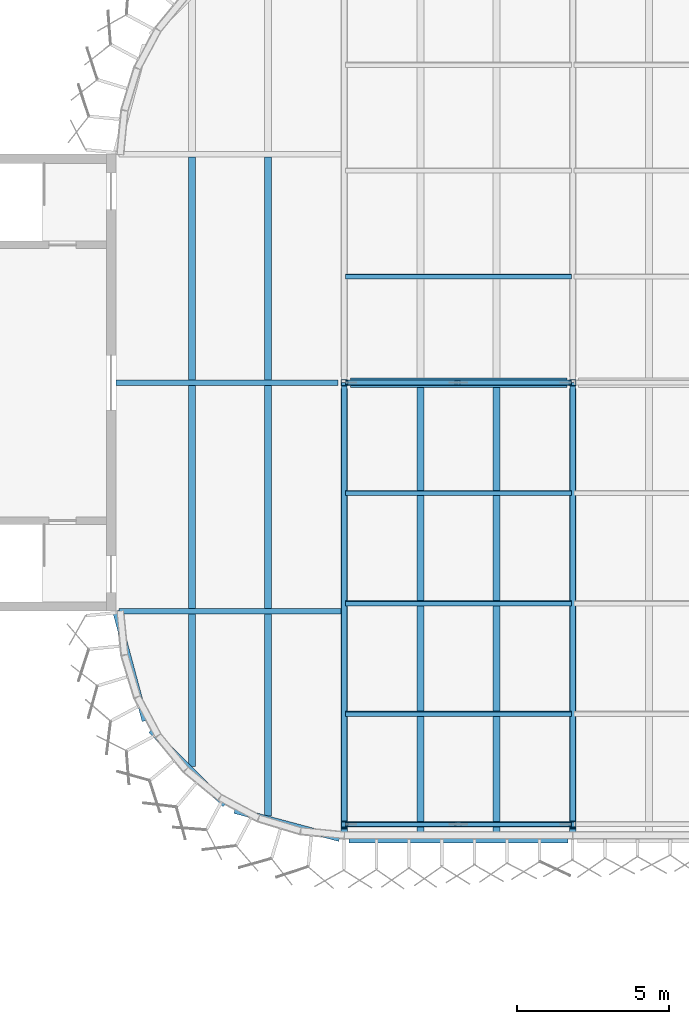
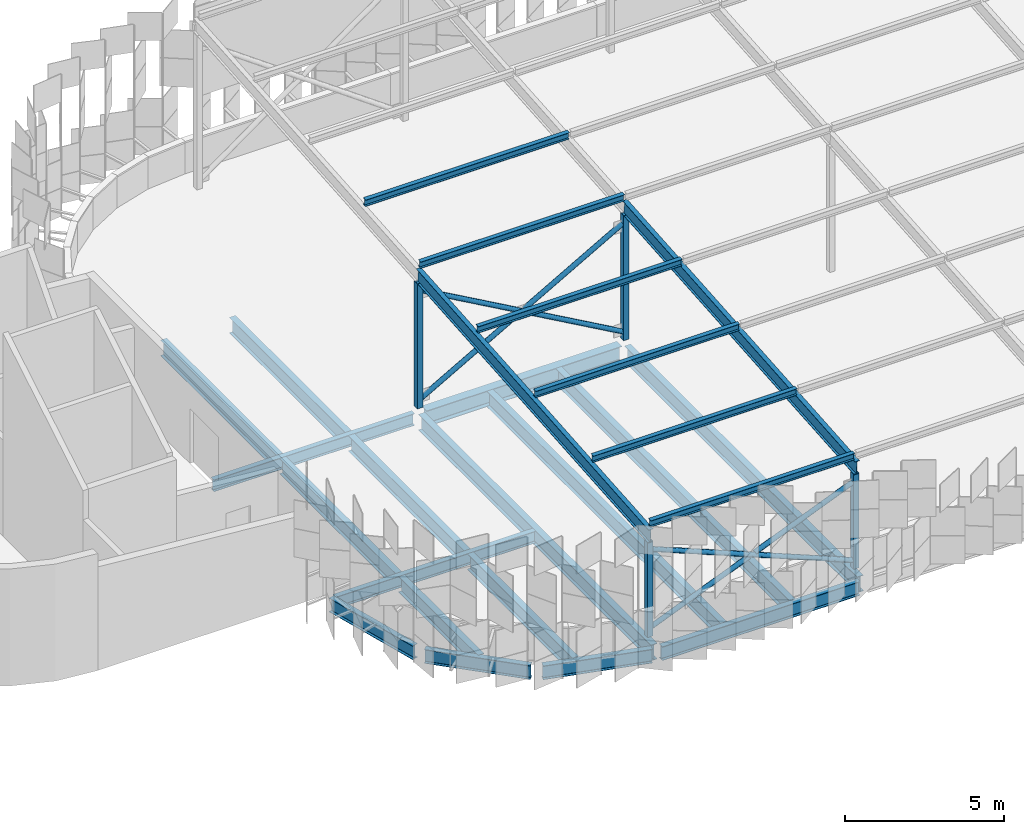
# One storey, part 41 of 483: 18 members, 17 beams.
"""IFC4 building model written with IfcOpenShell, lengths in metres."""

import ifcopenshell
import ifcopenshell.guid

model = None  # the IFC model being written
_history = None  # IfcOwnerHistory: only IFC2X3 demands one
_inside = {}  # id of a spatial element -> (the spatial element, [elements in it])
_under = {}  # id of a project, library or spatial element -> (it, [spatial elements below it])
_declared = {}  # id of a project -> (the project, [libraries it declares])
_typed = {}  # id of a type object -> (the type object, [elements of that type])
_made_of = {}  # id of a material, layer set ... -> (it, [elements and type objects made of it])


def new_model(schema):
    """Start an empty IFC model of exactly this schema.

    Asked for "IFC4X3", IfcOpenShell would pick the latest addendum, in which some entities
    have other attributes; the version numbers below select the first issue.
    IFC2X3 requires an IfcOwnerHistory on every rooted entity: one is made here for all.
    """
    global model, _history
    if schema == "IFC4X3":
        model = ifcopenshell.file(schema_version=(4, 3, 0, 0))
    else:
        model = ifcopenshell.file(schema=schema)
    _inside.clear()
    _under.clear()
    _declared.clear()
    _typed.clear()
    _made_of.clear()
    _history = None
    if model.schema == "IFC2X3":
        org = make("IfcOrganization", Name="unknown")
        user = make(
            "IfcPersonAndOrganization",
            ThePerson=make("IfcPerson", FamilyName="unknown"),
            TheOrganization=org,
        )
        app = make(
            "IfcApplication",
            ApplicationDeveloper=org,
            Version="unknown",
            ApplicationFullName="unknown",
            ApplicationIdentifier="unknown",
        )
        _history = make(
            "IfcOwnerHistory",
            OwningUser=user,
            OwningApplication=app,
            ChangeAction="ADDED",
            CreationDate=0,
        )
    return model


def make(cls, **values):
    """One entity of the class cls with the attributes given. An attribute that is None is left unset."""
    return model.create_entity(
        cls, **{name: value for name, value in values.items() if value is not None}
    )


def rooted(cls, **values):
    """An entity with a GlobalId (a new one), such as an element, a storey or a relation."""
    return make(cls, GlobalId=ifcopenshell.guid.new(), OwnerHistory=_history, **values)


def si_unit(unit_type, name, prefix=None):
    """IfcSIUnit, for example si_unit("LENGTHUNIT", "METRE", prefix="MILLI")."""
    return make("IfcSIUnit", UnitType=unit_type, Prefix=prefix, Name=name)


def assignment(units):
    """IfcUnitAssignment: the units of a project."""
    return None if units is None else make("IfcUnitAssignment", Units=units)


def point(xyz):
    """IfcCartesianPoint."""
    return None if xyz is None else make("IfcCartesianPoint", Coordinates=xyz)


def direction(xyz):
    """IfcDirection."""
    return None if xyz is None else make("IfcDirection", DirectionRatios=xyz)


def frame(location, z_axis=None, x_axis=None):
    """IfcAxis2Placement3D, a coordinate frame: its origin and axes. An axis left out is left unset."""
    return make(
        "IfcAxis2Placement3D",
        Location=point(location),
        Axis=direction(z_axis),
        RefDirection=direction(x_axis),
    )


def frame_2d(location, x_axis=None):
    """IfcAxis2Placement2D, a coordinate frame in the plane: its origin and x axis."""
    return make(
        "IfcAxis2Placement2D", Location=point(location), RefDirection=direction(x_axis)
    )


def origin():
    """The frame at (0, 0, 0) with its axes left unset."""
    return frame((0.0, 0.0, 0.0))


def origin_2d():
    """The frame at (0, 0) in the plane with its x axis left unset."""
    return frame_2d((0.0, 0.0))


def place(relative_to, where):
    """IfcLocalPlacement: puts the frame where relative to a parent placement (None: the world)."""
    return make(
        "IfcLocalPlacement", PlacementRelTo=relative_to, RelativePlacement=where
    )


def context(
    kind, dimensions, precision=None, world=None, true_north=None, identifier=None
):
    """IfcGeometricRepresentationContext, for example the 3D "Model" context."""
    return make(
        "IfcGeometricRepresentationContext",
        ContextIdentifier=identifier,
        ContextType=kind,
        CoordinateSpaceDimension=dimensions,
        Precision=precision,
        WorldCoordinateSystem=world,
        TrueNorth=true_north,
    )


def subcontext(parent, identifier, kind, view, scale=None):
    """IfcGeometricRepresentationSubContext, for example "Body" below "Model"."""
    return make(
        "IfcGeometricRepresentationSubContext",
        ContextIdentifier=identifier,
        ContextType=kind,
        ParentContext=parent,
        TargetScale=scale,
        TargetView=view,
    )


def project(units=None, contexts=None):
    """IfcProject with its units and contexts."""
    return rooted(
        "IfcProject",
        Name="project",
        RepresentationContexts=contexts,
        UnitsInContext=assignment(units),
    )


def spatial(cls, under=None, at=None, **own):
    """A site, building, storey or space (cls), placed at a placement, below another one or the project."""
    s = rooted(cls, ObjectPlacement=at, **own)
    if under is not None:
        _under.setdefault(under.id(), (under, []))[1].append(s)
    return s


def profile(cls, at=None, kind="AREA", **sizes):
    """A parametric profile (cls). Its sizes go by their IFC names, for example OverallWidth=200.0."""
    return make(cls, ProfileType=kind, Position=at, **sizes)


def hollow_rectangle(**sizes):
    """IfcRectangleHollowProfileDef."""
    return profile("IfcRectangleHollowProfileDef", **sizes)


def hollow_circle(**sizes):
    """IfcCircleHollowProfileDef."""
    return profile("IfcCircleHollowProfileDef", **sizes)


def i_section(**sizes):
    """IfcIShapeProfileDef."""
    return profile("IfcIShapeProfileDef", **sizes)


def extrude(swept, where, along, depth):
    """IfcExtrudedAreaSolid: the profile swept, set in the frame where, extruded along a direction by depth."""
    return make(
        "IfcExtrudedAreaSolid",
        SweptArea=swept,
        Position=where,
        ExtrudedDirection=direction(along),
        Depth=depth,
    )


def shape(context_of_items, identifier, shape_type, items):
    """IfcShapeRepresentation: the items that make up one representation, for example the "Body"."""
    return make(
        "IfcShapeRepresentation",
        ContextOfItems=context_of_items,
        RepresentationIdentifier=identifier,
        RepresentationType=shape_type,
        Items=items,
    )


def material(Name=None, Category=None):
    """IfcMaterial."""
    return make("IfcMaterial", Name=Name, Category=Category)


def material_profile(
    of_material, cross_section, Name=None, Category=None, Priority=None
):
    """IfcMaterialProfile: a cross section and its material."""
    return make(
        "IfcMaterialProfile",
        Name=Name,
        Material=of_material,
        Profile=cross_section,
        Priority=Priority,
        Category=Category,
    )


def profile_set(profiles, Name=None, composite=None):
    """IfcMaterialProfileSet."""
    return make(
        "IfcMaterialProfileSet",
        Name=Name,
        MaterialProfiles=profiles,
        CompositeProfile=composite,
    )


def made_of(thing, what):
    """Note that an element or type object is made of a material, layer set ...; save() writes the relation."""
    if what is not None:
        _made_of.setdefault(what.id(), (what, []))[1].append(thing)
    return thing


def type_object(cls, material=None, **own):
    """A type object (cls), such as IfcWallType, which elements share."""
    return made_of(rooted(cls, **own), material)


def element(
    cls,
    number,
    at=None,
    inside=None,
    cuts=None,
    type_object=None,
    material=None,
    context=None,
    identifier="Body",
    shape_type=None,
    held_by="IfcProductDefinitionShape",
    body=None,
    shapes=None,
    **own,
):
    """One element of the class cls, such as IfcWall. Its Tag is "e" and its number.

    at: its placement. inside: the storey or other place that contains it. cuts: it is an
    opening in that element (IfcRelVoidsElement). A single representation is given by context,
    identifier, shape_type and body (its items); several are given by shapes. held_by: the class
    of the entity that holds the representations. save() writes the other relations.
    """
    e = rooted(cls, Tag="e%d" % number, ObjectPlacement=at, **own)
    if body is not None:
        shapes = [shape(context, identifier, shape_type, body)]
    if shapes is not None:
        e.Representation = make(held_by, Representations=shapes)
    if inside is not None:
        _inside.setdefault(inside.id(), (inside, []))[1].append(e)
    if cuts is not None:
        rooted(
            "IfcRelVoidsElement", RelatingBuildingElement=cuts, RelatedOpeningElement=e
        )
    if type_object is not None:
        _typed.setdefault(type_object.id(), (type_object, []))[1].append(e)
    return made_of(e, material)


def aggregate(whole, parts):
    """IfcRelAggregates: a whole, such as a stair, and the parts it consists of."""
    return rooted("IfcRelAggregates", RelatingObject=whole, RelatedObjects=parts)


def save(model, path):
    """Write the relations noted so far, then the file.

    IfcRelAggregates (storeys below a building ...), IfcRelContainedInSpatialStructure (elements
    in a storey), IfcRelDefinesByType, IfcRelAssociatesMaterial and IfcRelDeclares: one each for
    every whole, place, type object, material and project.
    """
    for whole, parts in _under.values():
        aggregate(whole, parts)
    for where, things in _inside.values():
        rooted(
            "IfcRelContainedInSpatialStructure",
            RelatedElements=things,
            RelatingStructure=where,
        )
    for kind, things in _typed.values():
        rooted("IfcRelDefinesByType", RelatedObjects=things, RelatingType=kind)
    for what, things in _made_of.values():
        rooted("IfcRelAssociatesMaterial", RelatedObjects=things, RelatingMaterial=what)
    for by, libraries in _declared.values():
        rooted("IfcRelDeclares", RelatingContext=by, RelatedDefinitions=libraries)
    model.write(path)


model = new_model("IFC4")

# Units and contexts
model_context = context("Model", 3, precision=1e-05, world=origin(), true_north=direction((0.0, 1.0)))
body_context = subcontext(model_context, "Body", "Model", "MODEL_VIEW")
ifc_project = project(units=[si_unit("LENGTHUNIT", "METRE"), si_unit("AREAUNIT", "SQUARE_METRE"), si_unit("VOLUMEUNIT", "CUBIC_METRE"), si_unit("PLANEANGLEUNIT", "RADIAN"), si_unit("MASSUNIT", "GRAM", prefix="KILO")], contexts=[model_context])

# Site, building, storey
site_placement = place(None, origin())
site = spatial("IfcSite", under=ifc_project, at=site_placement, CompositionType="ELEMENT")
building_placement = place(site_placement, origin())
building = spatial("IfcBuilding", under=site, at=building_placement, Name="Parallax Yard Mobility Hub", CompositionType="ELEMENT")
storey_placement = place(building_placement, frame((0.0, 0.0, 13.199951171875)))
storey = spatial("IfcBuildingStorey", under=building, at=storey_placement, Name="L04", CompositionType="ELEMENT", Elevation=13.199951171875)

# Members
ifc_material_1 = material(Name="Steel ASTM A500 Gr C", Category="steel")
ifc_material_profile_1 = material_profile(ifc_material_1, hollow_circle(Radius=0.0888671875, WallThickness=0.0078125, at=origin_2d()), Name="HSS177.8x7.9")
ifc_profile_set_1 = profile_set([ifc_material_profile_1], Name="Steel ASTM A500 Gr C")
member_type_1 = type_object("IfcMemberType", Name="Canopy brace HSS177.8x7.9", PredefinedType="BRACE", material=ifc_profile_set_1)
member_1_placement = place(storey_placement, frame((37.413330078125, 113.0, 0.300048828125), z_axis=(-0.925869010623, 0.0, 0.377844644222), x_axis=(0.0, -1.0, 0.0)))
element("IfcMember", 1, at=member_1_placement, inside=storey, type_object=member_type_1, Name="Canopy X brace RA bay N-A bay 1 diagonal B", PredefinedType="BRACE", context=body_context, shape_type="SweptSolid", body=[
    extrude(hollow_circle(Radius=0.0888671875, WallThickness=0.0078125, at=origin_2d()), origin(), (0.0, 0.0, 1.0), 7.913330078125),
])
for number, where, z_axis, x_axis, name in (
    (2, (30.086669921875, 113.0, 0.300048828125), (0.925875790589, 0.0, 0.377828030196), (0.0, 1.0, 0.0), "Canopy X brace RA bay N-A bay 1 diagonal A part 1"),
    (3, (33.8583984375, 113.0, 1.83935546875), (0.925875790589, 0.0, 0.377828030196), (0.0, 1.0, 0.0), "Canopy X brace RA bay N-A bay 1 diagonal A part 2"),
):
    element("IfcMember", number, at=place(storey_placement, frame(where, z_axis=z_axis, x_axis=x_axis)), inside=storey, type_object=member_type_1, Name=name, PredefinedType="BRACE", context=body_context, shape_type="SweptSolid", body=[
        extrude(hollow_circle(Radius=0.0888671875, WallThickness=0.0078125, at=origin_2d()), origin(), (0.0, 0.0, 1.0), 3.839599609375),
    ])
member_2_placement = place(storey_placement, frame((37.413330078125, 127.5, 0.300048828125), z_axis=(-0.870117516531, 0.0, 0.492844303432), x_axis=(0.0, -1.0, 0.0)))
element("IfcMember", 4, at=member_2_placement, inside=storey, type_object=member_type_1, Name="Canopy X brace RB bay N-A bay 1 diagonal B", PredefinedType="BRACE", context=body_context, shape_type="SweptSolid", body=[
    extrude(hollow_circle(Radius=0.0888671875, WallThickness=0.0078125, at=origin_2d()), origin(), (0.0, 0.0, 1.0), 8.42041015625),
])
for number, where, z_axis, x_axis, name in (
    (5, (30.086669921875, 127.5, 0.300048828125), (0.870112904421, 0.0, 0.492852446032), (0.0, 1.0, 0.0), "Canopy X brace RB bay N-A bay 1 diagonal A part 1"),
    (6, (33.83154296875, 127.5, 2.421142578125), (0.870112904421, 0.0, 0.492852446032), (0.0, 1.0, 0.0), "Canopy X brace RB bay N-A bay 1 diagonal A part 2"),
):
    element("IfcMember", number, at=place(storey_placement, frame(where, z_axis=z_axis, x_axis=x_axis)), inside=storey, type_object=member_type_1, Name=name, PredefinedType="BRACE", context=body_context, shape_type="SweptSolid", body=[
        extrude(hollow_circle(Radius=0.0888671875, WallThickness=0.0078125, at=origin_2d()), origin(), (0.0, 0.0, 1.0), 4.116455078125),
    ])
ifc_material_profile_2 = material_profile(ifc_material_1, hollow_rectangle(XDim=0.203125, YDim=0.203125, WallThickness=0.009521484375, at=origin_2d()), Name="HSS203x203x9.5")
ifc_profile_set_2 = profile_set([ifc_material_profile_2], Name="Steel ASTM A500 Gr C")
member_type_2 = type_object("IfcMemberType", Name="Canopy post HSS203x203x9.5", PredefinedType="POST", material=ifc_profile_set_2)
member_3_placement = place(storey_placement, frame((30.0, 113.0, 0.0), z_axis=(0.0, 0.0, 1.0), x_axis=(1.0, 0.0, 0.0)))
element("IfcMember", 7, at=member_3_placement, inside=storey, type_object=member_type_2, Name="Canopy post RA/N-A1", PredefinedType="POST", context=body_context, shape_type="SweptSolid", body=[
    extrude(hollow_rectangle(XDim=0.203125, YDim=0.203125, WallThickness=0.009521484375, at=origin_2d()), origin(), (0.0, 0.0, 1.0), 3.650146484375),
])
member_4_placement = place(storey_placement, frame((30.0, 127.5, 0.0), z_axis=(0.0, 0.0, 1.0), x_axis=(1.0, 0.0, 0.0)))
element("IfcMember", 8, at=member_4_placement, inside=storey, type_object=member_type_2, Name="Canopy post RB/N-A1", PredefinedType="POST", context=body_context, shape_type="SweptSolid", body=[
    extrude(hollow_rectangle(XDim=0.203125, YDim=0.203125, WallThickness=0.009521484375, at=origin_2d()), origin(), (0.0, 0.0, 1.0), 4.81005859375),
])
member_5_placement = place(storey_placement, frame((37.5, 113.0, 0.0), z_axis=(0.0, 0.0, 1.0), x_axis=(1.0, 0.0, 0.0)))
element("IfcMember", 9, at=member_5_placement, inside=storey, type_object=member_type_2, Name="Canopy post RA/N-A2", PredefinedType="POST", context=body_context, shape_type="SweptSolid", body=[
    extrude(hollow_rectangle(XDim=0.203125, YDim=0.203125, WallThickness=0.009521484375, at=origin_2d()), origin(), (0.0, 0.0, 1.0), 3.650146484375),
])
member_6_placement = place(storey_placement, frame((37.5, 127.5, 0.0), z_axis=(0.0, 0.0, 1.0), x_axis=(1.0, 0.0, 0.0)))
element("IfcMember", 10, at=member_6_placement, inside=storey, type_object=member_type_2, Name="Canopy post RB/N-A2", PredefinedType="POST", context=body_context, shape_type="SweptSolid", body=[
    extrude(hollow_rectangle(XDim=0.203125, YDim=0.203125, WallThickness=0.009521484375, at=origin_2d()), origin(), (0.0, 0.0, 1.0), 4.81005859375),
])
ifc_material_2 = material(Name="Steel ASTM A992", Category="steel")
ifc_material_profile_3 = material_profile(ifc_material_2, i_section(OverallWidth=0.14794921875, OverallDepth=0.26611328125, WebThickness=0.007568359375, FlangeThickness=0.012939453125, at=origin_2d()), Name="W250x45")
ifc_profile_set_3 = profile_set([ifc_material_profile_3], Name="Steel ASTM A992")
member_type_3 = type_object("IfcMemberType", Name="Canopy purlin W250x45", PredefinedType="PURLIN", material=ifc_profile_set_3)
for number, where, z_axis, x_axis, name in (
    (11, (30.0400390625, 113.010498046875, 4.302001953125), (1.0, 0.0, 0.0), (0.0, 0.996815308126, 0.079744852409), "Canopy purlin sector N-A bay 1 line 1"),
    (12, (30.0400390625, 116.635498046875, 4.592041015625), (1.0, 0.0, 0.0), (0.0, 0.996815308126, 0.079744852409), "Canopy purlin sector N-A bay 1 line 2"),
    (13, (30.0400390625, 120.260498046875, 4.882080078125), (1.0, 0.0, 0.0), (0.0, 0.996815308126, 0.079744852409), "Canopy purlin sector N-A bay 1 line 3"),
    (14, (30.0400390625, 123.885498046875, 5.172119140625), (1.0, 0.0, 0.0), (0.0, 0.996815308126, 0.079744852409), "Canopy purlin sector N-A bay 1 line 4"),
    (15, (30.0400390625, 127.510498046875, 5.462158203125), (1.0, 0.0, 0.0), (0.0, 0.996815308126, 0.079744852409), "Canopy purlin sector N-A bay 1 line 5"),
    (16, (30.0400390625, 130.985595703125, 5.739990234375), (1.0, 0.0, 0.0), (0.0, 0.996815308126, 0.079744852409), "Canopy purlin sector N-A bay 1 line 6"),
):
    element("IfcMember", number, at=place(storey_placement, frame(where, z_axis=z_axis, x_axis=x_axis)), inside=storey, type_object=member_type_3, Name=name, PredefinedType="PURLIN", context=body_context, shape_type="SweptSolid", body=[
        extrude(i_section(OverallWidth=0.14794921875, OverallDepth=0.26611328125, WebThickness=0.007568359375, FlangeThickness=0.012939453125, at=origin_2d()), origin(), (0.0, 0.0, 1.0), 7.419921875),
    ])
ifc_material_profile_4 = material_profile(ifc_material_2, i_section(OverallWidth=0.166015625, OverallDepth=0.529052734375, WebThickness=0.009765625, FlangeThickness=0.013671875, at=origin_2d()), Name="W530x74")
ifc_profile_set_4 = profile_set([ifc_material_profile_4], Name="Steel ASTM A992")
member_type_4 = type_object("IfcMemberType", Name="Canopy rafter W530x74", PredefinedType="RAFTER", material=ifc_profile_set_4)
for number, where, z_axis, x_axis, name in (
    (17, (30.0, 112.87109375, 3.89501953125), (0.0, 0.996814591838, 0.079753805543), (-1.0, 0.0, 0.0), "Canopy rafter N-A1 inner span"),
    (18, (37.5, 112.87109375, 3.89501953125), (0.0, 0.996814591838, 0.079753805543), (-1.0, 0.0, 0.0), "Canopy rafter N-A2 inner span"),
):
    element("IfcMember", number, at=place(storey_placement, frame(where, z_axis=z_axis, x_axis=x_axis)), inside=storey, type_object=member_type_4, Name=name, PredefinedType="RAFTER", context=body_context, shape_type="SweptSolid", body=[
        extrude(i_section(OverallWidth=0.166015625, OverallDepth=0.529052734375, WebThickness=0.009765625, FlangeThickness=0.013671875, at=origin_2d()), origin(), (0.0, 0.0, 1.0), 14.69677734375),
    ])

# Beams
ifc_material_profile_5 = material_profile(ifc_material_2, i_section(OverallWidth=0.19091796875, OverallDepth=0.45703125, WebThickness=0.009033203125, FlangeThickness=0.014404296875, FilletRadius=0.01025390625, at=origin_2d()), Name="W460x74")
ifc_profile_set_5 = profile_set([ifc_material_profile_5], Name="Steel ASTM A992")
beam_type_1 = type_object("IfcBeamType", Name="W460x74 longitudinal beam", PredefinedType="BEAM", material=ifc_profile_set_5)
beam_1_placement = place(storey_placement, frame((22.608154296875, 120.0, -0.368408203125), z_axis=(1.0, 0.0, 0.0), x_axis=(0.0, 1.0, 0.0)))
element("IfcBeam", 19, at=beam_1_placement, inside=storey, type_object=beam_type_1, Name="Longitudinal beam SB4 level L04, line S of ramped parking decks, span 1", PredefinedType="BEAM", context=body_context, shape_type="SweptSolid", body=[
    extrude(i_section(OverallWidth=0.19091796875, OverallDepth=0.45703125, WebThickness=0.009033203125, FlangeThickness=0.014404296875, FilletRadius=0.01025390625, at=origin_2d()), origin(), (0.0, 0.0, 1.0), 7.27734375),
])
beam_2_placement = place(storey_placement, frame((22.5, 127.5, -0.368408203125), z_axis=(1.0, 0.0, 0.0), x_axis=(0.0, 1.0, 0.0)))
element("IfcBeam", 20, at=beam_2_placement, inside=storey, type_object=beam_type_1, Name="Longitudinal beam SB4 level L04, line T of ramped parking decks, span 20", PredefinedType="BEAM", context=body_context, shape_type="SweptSolid", body=[
    extrude(i_section(OverallWidth=0.19091796875, OverallDepth=0.45703125, WebThickness=0.009033203125, FlangeThickness=0.014404296875, FilletRadius=0.01025390625, at=origin_2d()), origin(), (0.0, 0.0, 1.0), 7.302001953125),
])
ifc_material_profile_6 = material_profile(ifc_material_2, i_section(OverallWidth=0.208984375, OverallDepth=0.532958984375, WebThickness=0.01025390625, FlangeThickness=0.015625, FilletRadius=0.0126953125, at=origin_2d()), Name="W530x92")
ifc_profile_set_6 = profile_set([ifc_material_profile_6], Name="Steel ASTM A992")
beam_type_2 = type_object("IfcBeamType", Name="W530x92 edge beam", PredefinedType="SPANDREL", material=ifc_profile_set_6)
beam_3_placement = place(storey_placement, frame((30.153564453125, 112.5, -0.406494140625), z_axis=(1.0, 0.0, 0.0), x_axis=(0.0, 1.0, 0.0)))
element("IfcBeam", 21, at=beam_3_placement, inside=storey, type_object=beam_type_2, Name="Edge beam SB5 level L04, line R of ramped parking decks, span 1", PredefinedType="SPANDREL", context=body_context, shape_type="SweptSolid", body=[
    extrude(i_section(OverallWidth=0.208984375, OverallDepth=0.532958984375, WebThickness=0.01025390625, FlangeThickness=0.015625, FilletRadius=0.0126953125, at=origin_2d()), origin(), (0.0, 0.0, 1.0), 7.19384765625),
])
beam_4_placement = place(storey_placement, frame((22.5, 120.0, -0.406494140625), z_axis=(0.2588092838, -0.965928441769, 0.0), x_axis=(0.965928441769, 0.2588092838, 0.0)))
element("IfcBeam", 22, at=beam_4_placement, inside=storey, type_object=beam_type_2, Name="Edge beam SB5 level L04, the west end of ramped parking decks, span 1", PredefinedType="SPANDREL", context=body_context, shape_type="SweptSolid", body=[
    extrude(i_section(OverallWidth=0.208984375, OverallDepth=0.532958984375, WebThickness=0.01025390625, FlangeThickness=0.015625, FilletRadius=0.0126953125, at=origin_2d()), origin(), (0.0, 0.0, 1.0), 3.723388671875),
])
beam_5_placement = place(storey_placement, frame((23.6572265625, 116.097412109375, -0.406494140625), z_axis=(0.707106781187, -0.707106781187, 0.0), x_axis=(0.707106781187, 0.707106781187, 0.0)))
element("IfcBeam", 23, at=beam_5_placement, inside=storey, type_object=beam_type_2, Name="Edge beam SB5 level L04, the west end of ramped parking decks, span 3", PredefinedType="SPANDREL", context=body_context, shape_type="SweptSolid", body=[
    extrude(i_section(OverallWidth=0.208984375, OverallDepth=0.532958984375, WebThickness=0.01025390625, FlangeThickness=0.015625, FilletRadius=0.0126953125, at=origin_2d()), origin(), (0.0, 0.0, 1.0), 3.450927734375),
])
beam_6_placement = place(storey_placement, frame((26.402587890625, 113.4638671875, -0.406494140625), z_axis=(0.965920541607, -0.258838766998, 0.0), x_axis=(0.258838766998, 0.965920541607, 0.0)))
element("IfcBeam", 24, at=beam_6_placement, inside=storey, type_object=beam_type_2, Name="Edge beam SB5 level L04, the west end of ramped parking decks, span 5", PredefinedType="SPANDREL", context=body_context, shape_type="SweptSolid", body=[
    extrude(i_section(OverallWidth=0.208984375, OverallDepth=0.532958984375, WebThickness=0.01025390625, FlangeThickness=0.015625, FilletRadius=0.0126953125, at=origin_2d()), origin(), (0.0, 0.0, 1.0), 3.5654296875),
])
ifc_material_profile_7 = material_profile(ifc_material_2, i_section(OverallWidth=0.22802734375, OverallDepth=0.60205078125, WebThickness=0.010498046875, FlangeThickness=0.014892578125, FilletRadius=0.0126953125, at=origin_2d()), Name="W610x101")
ifc_profile_set_7 = profile_set([ifc_material_profile_7], Name="Steel ASTM A992")
beam_type_3 = type_object("IfcBeamType", Name="W610x101 secondary beam", PredefinedType="JOIST", material=ifc_profile_set_7)
beam_7_placement = place(storey_placement, frame((25.0, 114.902587890625, -0.44091796875), z_axis=(0.0, 1.0, 0.0), x_axis=(-1.0, 0.0, 0.0)))
element("IfcBeam", 25, at=beam_7_placement, inside=storey, type_object=beam_type_3, Name="Secondary beam B3 level L04, 2.5 m east of line 4 of ramped parking decks, span 1", PredefinedType="JOIST", context=body_context, shape_type="SweptSolid", body=[
    extrude(i_section(OverallWidth=0.22802734375, OverallDepth=0.60205078125, WebThickness=0.010498046875, FlangeThickness=0.014892578125, FilletRadius=0.0126953125, at=origin_2d()), origin(), (0.0, 0.0, 1.0), 5.001953125),
])
for number, where, z_axis, x_axis, name in (
    (26, (25.0, 120.095458984375, -0.44091796875), (0.0, 1.0, 0.0), (-1.0, 0.0, 0.0), "Secondary beam B3 level L04, 2.5 m east of line 4 of ramped parking decks, span 2"),
    (27, (25.0, 127.595458984375, -0.44091796875), (0.0, 1.0, 0.0), (-1.0, 0.0, 0.0), "Secondary beam B3 level L04, 2.5 m east of line 4 of ramped parking decks, span 3"),
):
    element("IfcBeam", number, at=place(storey_placement, frame(where, z_axis=z_axis, x_axis=x_axis)), inside=storey, type_object=beam_type_3, Name=name, PredefinedType="JOIST", context=body_context, shape_type="SweptSolid", body=[
        extrude(i_section(OverallWidth=0.22802734375, OverallDepth=0.60205078125, WebThickness=0.010498046875, FlangeThickness=0.014892578125, FilletRadius=0.0126953125, at=origin_2d()), origin(), (0.0, 0.0, 1.0), 7.30908203125),
    ])
beam_8_placement = place(storey_placement, frame((32.5, 112.6044921875, -0.44091796875), z_axis=(0.0, 1.0, 0.0), x_axis=(-1.0, 0.0, 0.0)))
element("IfcBeam", 28, at=beam_8_placement, inside=storey, type_object=beam_type_3, Name="Secondary beam B3 level L04, 2.5 m east of line 5 of ramped parking decks, span 1", PredefinedType="JOIST", context=body_context, shape_type="SweptSolid", body=[
    extrude(i_section(OverallWidth=0.22802734375, OverallDepth=0.60205078125, WebThickness=0.010498046875, FlangeThickness=0.014892578125, FilletRadius=0.0126953125, at=origin_2d()), origin(), (0.0, 0.0, 1.0), 14.73291015625),
])
beam_9_placement = place(storey_placement, frame((27.5, 113.278076171875, -0.44091796875), z_axis=(0.0, 1.0, 0.0), x_axis=(-1.0, 0.0, 0.0)))
element("IfcBeam", 29, at=beam_9_placement, inside=storey, type_object=beam_type_3, Name="Secondary beam B3 level L04, 5 m east of line 4 of ramped parking decks, span 1", PredefinedType="JOIST", context=body_context, shape_type="SweptSolid", body=[
    extrude(i_section(OverallWidth=0.22802734375, OverallDepth=0.60205078125, WebThickness=0.010498046875, FlangeThickness=0.014892578125, FilletRadius=0.0126953125, at=origin_2d()), origin(), (0.0, 0.0, 1.0), 6.62646484375),
])
for number, where, z_axis, x_axis, name in (
    (30, (27.5, 120.095458984375, -0.44091796875), (0.0, 1.0, 0.0), (-1.0, 0.0, 0.0), "Secondary beam B3 level L04, 5 m east of line 4 of ramped parking decks, span 2"),
    (31, (27.5, 127.595458984375, -0.44091796875), (0.0, 1.0, 0.0), (-1.0, 0.0, 0.0), "Secondary beam B3 level L04, 5 m east of line 4 of ramped parking decks, span 3"),
):
    element("IfcBeam", number, at=place(storey_placement, frame(where, z_axis=z_axis, x_axis=x_axis)), inside=storey, type_object=beam_type_3, Name=name, PredefinedType="JOIST", context=body_context, shape_type="SweptSolid", body=[
        extrude(i_section(OverallWidth=0.22802734375, OverallDepth=0.60205078125, WebThickness=0.010498046875, FlangeThickness=0.014892578125, FilletRadius=0.0126953125, at=origin_2d()), origin(), (0.0, 0.0, 1.0), 7.30908203125),
    ])
beam_10_placement = place(storey_placement, frame((35.0, 112.6044921875, -0.44091796875), z_axis=(0.0, 1.0, 0.0), x_axis=(-1.0, 0.0, 0.0)))
element("IfcBeam", 32, at=beam_10_placement, inside=storey, type_object=beam_type_3, Name="Secondary beam B3 level L04, 5 m east of line 5 of ramped parking decks, span 1", PredefinedType="JOIST", context=body_context, shape_type="SweptSolid", body=[
    extrude(i_section(OverallWidth=0.22802734375, OverallDepth=0.60205078125, WebThickness=0.010498046875, FlangeThickness=0.014892578125, FilletRadius=0.0126953125, at=origin_2d()), origin(), (0.0, 0.0, 1.0), 14.73291015625),
])
ifc_material_profile_8 = material_profile(ifc_material_2, i_section(OverallWidth=0.22900390625, OverallDepth=0.612060546875, WebThickness=0.011962890625, FlangeThickness=0.01953125, FilletRadius=0.0126953125, at=origin_2d()), Name="W610x125")
ifc_profile_set_8 = profile_set([ifc_material_profile_8], Name="Steel ASTM A992")
beam_type_4 = type_object("IfcBeamType", Name="W610x125 girder", PredefinedType="BEAM", material=ifc_profile_set_8)
beam_11_placement = place(storey_placement, frame((30.0, 112.658935546875, -0.446044921875), z_axis=(0.0, 1.0, 0.0), x_axis=(-1.0, 0.0, 0.0)))
element("IfcBeam", 33, at=beam_11_placement, inside=storey, type_object=beam_type_4, Name="Girder G3 level L04, line 5 of ramped parking decks, span 1", PredefinedType="BEAM", context=body_context, shape_type="SweptSolid", body=[
    extrude(i_section(OverallWidth=0.22900390625, OverallDepth=0.612060546875, WebThickness=0.011962890625, FlangeThickness=0.01953125, FilletRadius=0.0126953125, at=origin_2d()), origin(), (0.0, 0.0, 1.0), 14.650634765625),
])
beam_12_placement = place(storey_placement, frame((37.5, 112.653564453125, -0.446044921875), z_axis=(0.0, 1.0, 0.0), x_axis=(-1.0, 0.0, 0.0)))
element("IfcBeam", 34, at=beam_12_placement, inside=storey, type_object=beam_type_4, Name="Girder G3 level L04, line 6 of ramped parking decks, span 1", PredefinedType="BEAM", context=body_context, shape_type="SweptSolid", body=[
    extrude(i_section(OverallWidth=0.22900390625, OverallDepth=0.612060546875, WebThickness=0.011962890625, FlangeThickness=0.01953125, FilletRadius=0.0126953125, at=origin_2d()), origin(), (0.0, 0.0, 1.0), 14.662353515625),
])
ifc_material_profile_9 = material_profile(ifc_material_2, i_section(OverallWidth=0.324951171875, OverallDepth=0.612060546875, WebThickness=0.0126953125, FlangeThickness=0.01904296875, FilletRadius=0.0126953125, at=origin_2d()), Name="W610x155")
ifc_profile_set_9 = profile_set([ifc_material_profile_9], Name="Steel ASTM A992")
beam_type_5 = type_object("IfcBeamType", Name="W610x155 longitudinal beam", PredefinedType="BEAM", material=ifc_profile_set_9)
beam_13_placement = place(storey_placement, frame((30.197998046875, 127.5, -0.446044921875), z_axis=(1.0, 0.0, 0.0), x_axis=(0.0, 1.0, 0.0)))
element("IfcBeam", 35, at=beam_13_placement, inside=storey, type_object=beam_type_5, Name="Longitudinal beam SB8 level L04, line T of ramped parking decks, span 1", PredefinedType="BEAM", context=body_context, shape_type="SweptSolid", body=[
    extrude(i_section(OverallWidth=0.324951171875, OverallDepth=0.612060546875, WebThickness=0.0126953125, FlangeThickness=0.01904296875, FilletRadius=0.0126953125, at=origin_2d()), origin(), (0.0, 0.0, 1.0), 7.115478515625),
])

save(model, "model.ifc")
